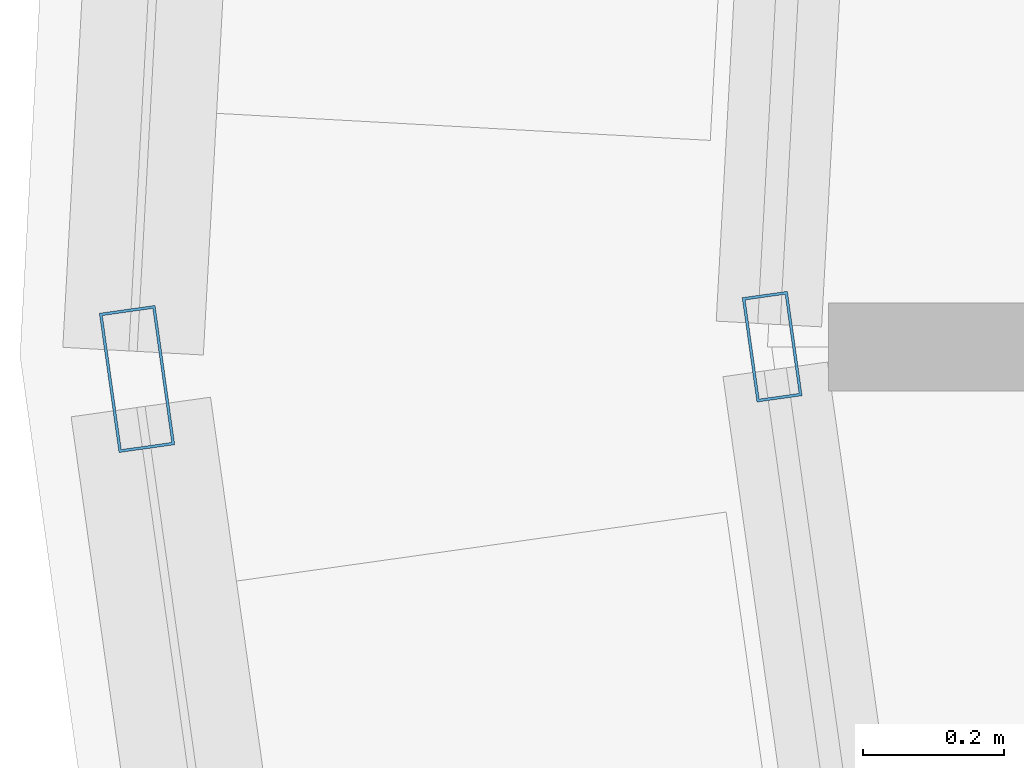
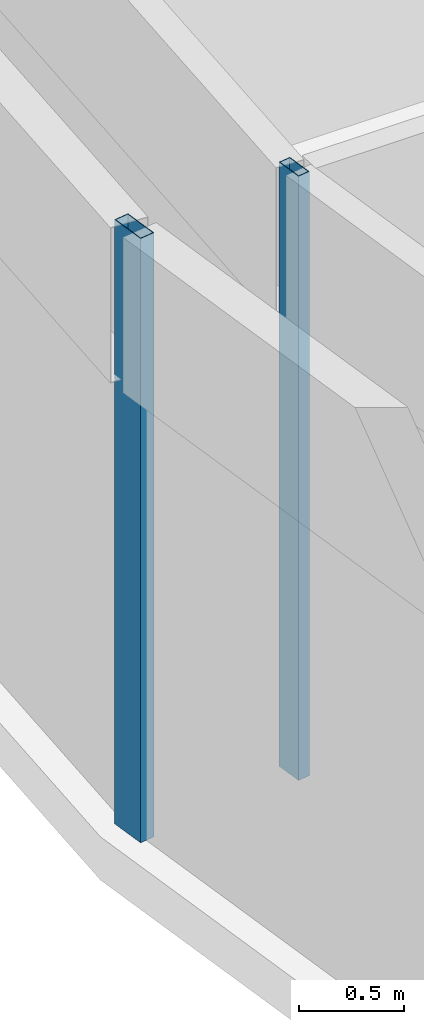
# One storey, part 4 of 39: 2 members, 2 elements without a shape of their own.
"""IFC4 building model written with IfcOpenShell, lengths in metres."""

import ifcopenshell
import ifcopenshell.guid

model = None  # the IFC model being written
_history = None  # IfcOwnerHistory: only IFC2X3 demands one
_inside = {}  # id of a spatial element -> (the spatial element, [elements in it])
_under = {}  # id of a project, library or spatial element -> (it, [spatial elements below it])
_declared = {}  # id of a project -> (the project, [libraries it declares])
_typed = {}  # id of a type object -> (the type object, [elements of that type])
_made_of = {}  # id of a material, layer set ... -> (it, [elements and type objects made of it])


def new_model(schema):
    """Start an empty IFC model of exactly this schema.

    Asked for "IFC4X3", IfcOpenShell would pick the latest addendum, in which some entities
    have other attributes; the version numbers below select the first issue.
    IFC2X3 requires an IfcOwnerHistory on every rooted entity: one is made here for all.
    """
    global model, _history
    if schema == "IFC4X3":
        model = ifcopenshell.file(schema_version=(4, 3, 0, 0))
    else:
        model = ifcopenshell.file(schema=schema)
    _inside.clear()
    _under.clear()
    _declared.clear()
    _typed.clear()
    _made_of.clear()
    _history = None
    if model.schema == "IFC2X3":
        org = make("IfcOrganization", Name="unknown")
        user = make(
            "IfcPersonAndOrganization",
            ThePerson=make("IfcPerson", FamilyName="unknown"),
            TheOrganization=org,
        )
        app = make(
            "IfcApplication",
            ApplicationDeveloper=org,
            Version="unknown",
            ApplicationFullName="unknown",
            ApplicationIdentifier="unknown",
        )
        _history = make(
            "IfcOwnerHistory",
            OwningUser=user,
            OwningApplication=app,
            ChangeAction="ADDED",
            CreationDate=0,
        )
    return model


def make(cls, **values):
    """One entity of the class cls with the attributes given. An attribute that is None is left unset."""
    return model.create_entity(
        cls, **{name: value for name, value in values.items() if value is not None}
    )


def rooted(cls, **values):
    """An entity with a GlobalId (a new one), such as an element, a storey or a relation."""
    return make(cls, GlobalId=ifcopenshell.guid.new(), OwnerHistory=_history, **values)


def si_unit(unit_type, name, prefix=None):
    """IfcSIUnit, for example si_unit("LENGTHUNIT", "METRE", prefix="MILLI")."""
    return make("IfcSIUnit", UnitType=unit_type, Prefix=prefix, Name=name)


def assignment(units):
    """IfcUnitAssignment: the units of a project."""
    return None if units is None else make("IfcUnitAssignment", Units=units)


def point(xyz):
    """IfcCartesianPoint."""
    return None if xyz is None else make("IfcCartesianPoint", Coordinates=xyz)


def direction(xyz):
    """IfcDirection."""
    return None if xyz is None else make("IfcDirection", DirectionRatios=xyz)


def frame(location, z_axis=None, x_axis=None):
    """IfcAxis2Placement3D, a coordinate frame: its origin and axes. An axis left out is left unset."""
    return make(
        "IfcAxis2Placement3D",
        Location=point(location),
        Axis=direction(z_axis),
        RefDirection=direction(x_axis),
    )


def frame_2d(location, x_axis=None):
    """IfcAxis2Placement2D, a coordinate frame in the plane: its origin and x axis."""
    return make(
        "IfcAxis2Placement2D", Location=point(location), RefDirection=direction(x_axis)
    )


def origin():
    """The frame at (0, 0, 0) with its axes left unset."""
    return frame((0.0, 0.0, 0.0))


def origin_2d():
    """The frame at (0, 0) in the plane with its x axis left unset."""
    return frame_2d((0.0, 0.0))


def place(relative_to, where):
    """IfcLocalPlacement: puts the frame where relative to a parent placement (None: the world)."""
    return make(
        "IfcLocalPlacement", PlacementRelTo=relative_to, RelativePlacement=where
    )


def context(
    kind, dimensions, precision=None, world=None, true_north=None, identifier=None
):
    """IfcGeometricRepresentationContext, for example the 3D "Model" context."""
    return make(
        "IfcGeometricRepresentationContext",
        ContextIdentifier=identifier,
        ContextType=kind,
        CoordinateSpaceDimension=dimensions,
        Precision=precision,
        WorldCoordinateSystem=world,
        TrueNorth=true_north,
    )


def subcontext(parent, identifier, kind, view, scale=None):
    """IfcGeometricRepresentationSubContext, for example "Body" below "Model"."""
    return make(
        "IfcGeometricRepresentationSubContext",
        ContextIdentifier=identifier,
        ContextType=kind,
        ParentContext=parent,
        TargetScale=scale,
        TargetView=view,
    )


def project(units=None, contexts=None):
    """IfcProject with its units and contexts."""
    return rooted(
        "IfcProject",
        Name="project",
        RepresentationContexts=contexts,
        UnitsInContext=assignment(units),
    )


def spatial(cls, under=None, at=None, **own):
    """A site, building, storey or space (cls), placed at a placement, below another one or the project."""
    s = rooted(cls, ObjectPlacement=at, **own)
    if under is not None:
        _under.setdefault(under.id(), (under, []))[1].append(s)
    return s


def profile(cls, at=None, kind="AREA", **sizes):
    """A parametric profile (cls). Its sizes go by their IFC names, for example OverallWidth=200.0."""
    return make(cls, ProfileType=kind, Position=at, **sizes)


def hollow_rectangle(**sizes):
    """IfcRectangleHollowProfileDef."""
    return profile("IfcRectangleHollowProfileDef", **sizes)


def extrude(swept, where, along, depth):
    """IfcExtrudedAreaSolid: the profile swept, set in the frame where, extruded along a direction by depth."""
    return make(
        "IfcExtrudedAreaSolid",
        SweptArea=swept,
        Position=where,
        ExtrudedDirection=direction(along),
        Depth=depth,
    )


def shape(context_of_items, identifier, shape_type, items):
    """IfcShapeRepresentation: the items that make up one representation, for example the "Body"."""
    return make(
        "IfcShapeRepresentation",
        ContextOfItems=context_of_items,
        RepresentationIdentifier=identifier,
        RepresentationType=shape_type,
        Items=items,
    )


def material(Name=None, Category=None):
    """IfcMaterial."""
    return make("IfcMaterial", Name=Name, Category=Category)


def material_profile(
    of_material, cross_section, Name=None, Category=None, Priority=None
):
    """IfcMaterialProfile: a cross section and its material."""
    return make(
        "IfcMaterialProfile",
        Name=Name,
        Material=of_material,
        Profile=cross_section,
        Priority=Priority,
        Category=Category,
    )


def profile_set(profiles, Name=None, composite=None):
    """IfcMaterialProfileSet."""
    return make(
        "IfcMaterialProfileSet",
        Name=Name,
        MaterialProfiles=profiles,
        CompositeProfile=composite,
    )


def made_of(thing, what):
    """Note that an element or type object is made of a material, layer set ...; save() writes the relation."""
    if what is not None:
        _made_of.setdefault(what.id(), (what, []))[1].append(thing)
    return thing


def type_object(cls, material=None, **own):
    """A type object (cls), such as IfcWallType, which elements share."""
    return made_of(rooted(cls, **own), material)


def element(
    cls,
    number,
    at=None,
    inside=None,
    cuts=None,
    type_object=None,
    material=None,
    context=None,
    identifier="Body",
    shape_type=None,
    held_by="IfcProductDefinitionShape",
    body=None,
    shapes=None,
    **own,
):
    """One element of the class cls, such as IfcWall. Its Tag is "e" and its number.

    at: its placement. inside: the storey or other place that contains it. cuts: it is an
    opening in that element (IfcRelVoidsElement). A single representation is given by context,
    identifier, shape_type and body (its items); several are given by shapes. held_by: the class
    of the entity that holds the representations. save() writes the other relations.
    """
    e = rooted(cls, Tag="e%d" % number, ObjectPlacement=at, **own)
    if body is not None:
        shapes = [shape(context, identifier, shape_type, body)]
    if shapes is not None:
        e.Representation = make(held_by, Representations=shapes)
    if inside is not None:
        _inside.setdefault(inside.id(), (inside, []))[1].append(e)
    if cuts is not None:
        rooted(
            "IfcRelVoidsElement", RelatingBuildingElement=cuts, RelatedOpeningElement=e
        )
    if type_object is not None:
        _typed.setdefault(type_object.id(), (type_object, []))[1].append(e)
    return made_of(e, material)


def aggregate(whole, parts):
    """IfcRelAggregates: a whole, such as a stair, and the parts it consists of."""
    return rooted("IfcRelAggregates", RelatingObject=whole, RelatedObjects=parts)


def save(model, path):
    """Write the relations noted so far, then the file.

    IfcRelAggregates (storeys below a building ...), IfcRelContainedInSpatialStructure (elements
    in a storey), IfcRelDefinesByType, IfcRelAssociatesMaterial and IfcRelDeclares: one each for
    every whole, place, type object, material and project.
    """
    for whole, parts in _under.values():
        aggregate(whole, parts)
    for where, things in _inside.values():
        rooted(
            "IfcRelContainedInSpatialStructure",
            RelatedElements=things,
            RelatingStructure=where,
        )
    for kind, things in _typed.values():
        rooted("IfcRelDefinesByType", RelatedObjects=things, RelatingType=kind)
    for what, things in _made_of.values():
        rooted("IfcRelAssociatesMaterial", RelatedObjects=things, RelatingMaterial=what)
    for by, libraries in _declared.values():
        rooted("IfcRelDeclares", RelatingContext=by, RelatedDefinitions=libraries)
    model.write(path)


model = new_model("IFC4")

# Units and contexts
model_context = context("Model", 3, precision=1e-05, world=origin(), true_north=direction((0.0, 1.0)))
body_context = subcontext(model_context, "Body", "Model", "MODEL_VIEW")
ifc_project = project(units=[si_unit("LENGTHUNIT", "METRE"), si_unit("AREAUNIT", "SQUARE_METRE"), si_unit("VOLUMEUNIT", "CUBIC_METRE"), si_unit("PLANEANGLEUNIT", "RADIAN"), si_unit("MASSUNIT", "GRAM", prefix="KILO")], contexts=[model_context])

# Site, building, storey
site_placement = place(None, origin())
site = spatial("IfcSite", under=ifc_project, at=site_placement, CompositionType="ELEMENT")
building_placement = place(site_placement, origin())
building = spatial("IfcBuilding", under=site, at=building_placement, Name="Rekha Terrace Tower", CompositionType="ELEMENT")
storey_placement = place(building_placement, frame((0.0, 0.0, 155.300048828125)))
storey = spatial("IfcBuildingStorey", under=building, at=storey_placement, Name="L39", CompositionType="ELEMENT", Elevation=155.300048828125)

# Curtain wall, member
ifc_material_1 = material(Name="Aluminium framing", Category="aluminium")
curtain_wall_type_1 = type_object("IfcCurtainWallType", Name="CW1 double skin inner glazing", PredefinedType="USERDEFINED", material=ifc_material_1)
curtain_wall_1_placement = place(storey_placement, origin())
curtain_wall_1 = element("IfcCurtainWall", 1, at=curtain_wall_1_placement, inside=storey, type_object=curtain_wall_type_1, Name="CW1 double skin inner glazing", ObjectType="DOUBLE SKIN INNER GLAZING", PredefinedType="USERDEFINED")
ifc_material_2 = material(Name="Aluminium mullion section", Category="aluminium")
ifc_material_profile_1 = material_profile(ifc_material_2, hollow_rectangle(XDim=0.06494140625, YDim=0.14990234375, WallThickness=0.00390625, at=origin_2d()), Name="AL RHS 65x150")
ifc_profile_set_1 = profile_set([ifc_material_profile_1], Name="Aluminium mullion section")
member_type_1 = type_object("IfcMemberType", Name="CW1 mullion RHS 65 x 150", PredefinedType="MULLION", material=ifc_profile_set_1)
member_1_placement = place(storey_placement, frame((5.86865234375, 27.78125, 0.0), z_axis=(0.0, 0.0, 1.0), x_axis=(0.990208394317, 0.139597048047, 0.0)))
member_1 = element("IfcMember", 2, at=member_1_placement, type_object=member_type_1, Name="CW1 mullion 1", PredefinedType="MULLION", context=body_context, shape_type="SweptSolid", body=[
    extrude(hollow_rectangle(XDim=0.06494140625, YDim=0.14990234375, WallThickness=0.00390625, at=origin_2d()), origin(), (0.0, 0.0, 1.0), 3.5),
])
aggregate(curtain_wall_1, [member_1])

curtain_wall_type_2 = type_object("IfcCurtainWallType", Name="CW2 double skin outer glazing", PredefinedType="USERDEFINED", material=ifc_material_1)
curtain_wall_2_placement = place(storey_placement, origin())
curtain_wall_2 = element("IfcCurtainWall", 3, at=curtain_wall_2_placement, inside=storey, type_object=curtain_wall_type_2, Name="CW2 double skin outer glazing", ObjectType="DOUBLE SKIN OUTER GLAZING", PredefinedType="USERDEFINED")
ifc_material_profile_2 = material_profile(ifc_material_2, hollow_rectangle(XDim=0.080078125, YDim=0.199951171875, WallThickness=0.00390625, at=origin_2d()), Name="AL RHS 80x200")
ifc_profile_set_2 = profile_set([ifc_material_profile_2], Name="Aluminium mullion section")
member_type_2 = type_object("IfcMemberType", Name="CW2 mullion RHS 80 x 200", PredefinedType="MULLION", material=ifc_profile_set_2)
member_2_placement = place(storey_placement, frame((4.96630859375, 27.7353515625, 0.0), z_axis=(0.0, 0.0, 1.0), x_axis=(0.990208394312, 0.139597048082, 0.0)))
member_2 = element("IfcMember", 4, at=member_2_placement, type_object=member_type_2, Name="CW2 mullion 1", PredefinedType="MULLION", context=body_context, shape_type="SweptSolid", body=[
    extrude(hollow_rectangle(XDim=0.080078125, YDim=0.199951171875, WallThickness=0.00390625, at=origin_2d()), origin(), (0.0, 0.0, 1.0), 3.5),
])
aggregate(curtain_wall_2, [member_2])

save(model, "model.ifc")
